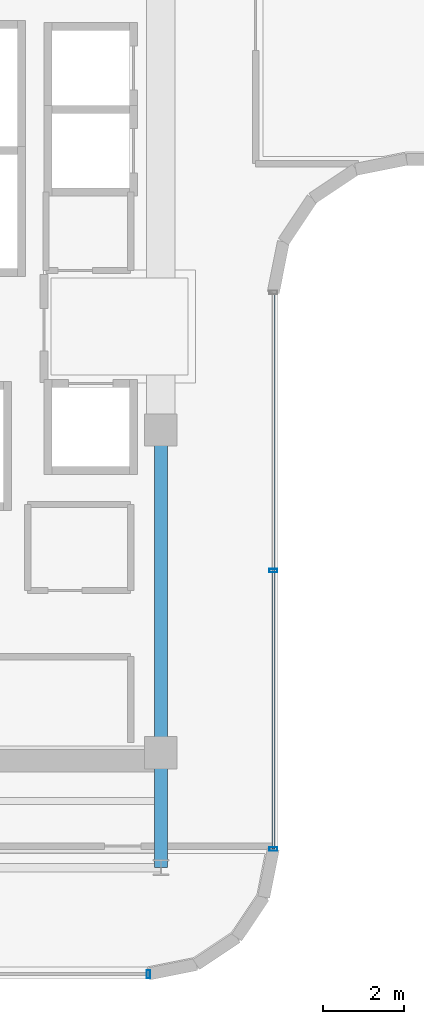
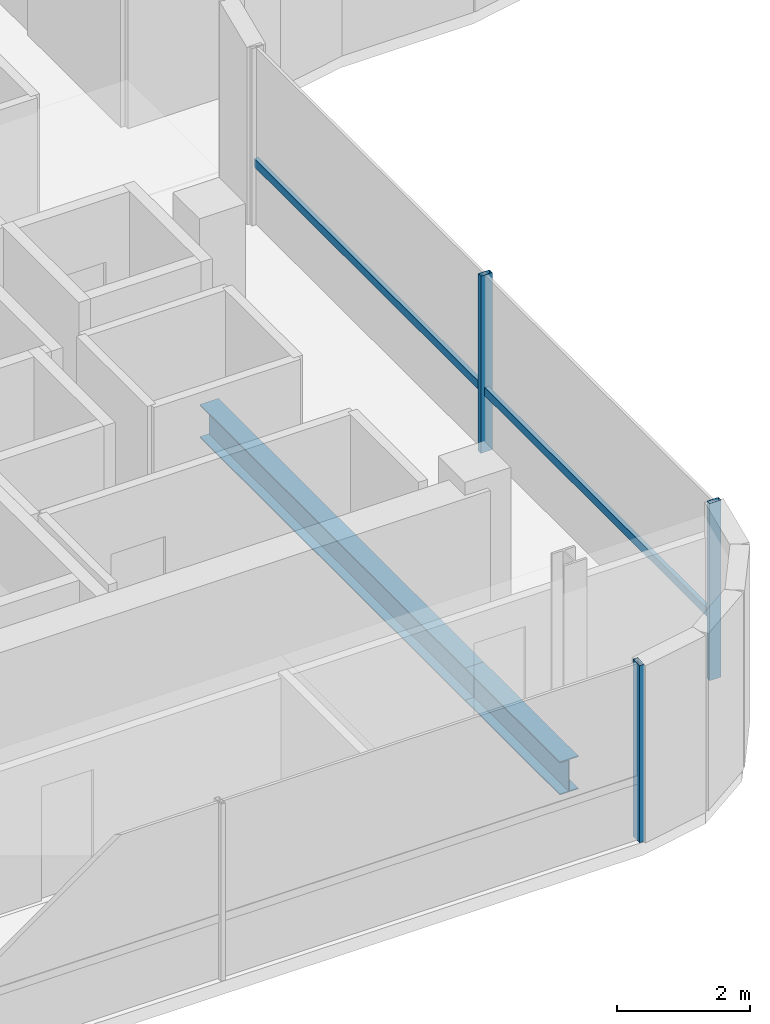
# One storey, part 5 of 18: 4 members, 2 beams, 2 elements without a shape of their own.
"""IFC4 building model written with IfcOpenShell, lengths in metres."""

import ifcopenshell
import ifcopenshell.guid

model = None  # the IFC model being written
_history = None  # IfcOwnerHistory: only IFC2X3 demands one
_inside = {}  # id of a spatial element -> (the spatial element, [elements in it])
_under = {}  # id of a project, library or spatial element -> (it, [spatial elements below it])
_declared = {}  # id of a project -> (the project, [libraries it declares])
_typed = {}  # id of a type object -> (the type object, [elements of that type])
_made_of = {}  # id of a material, layer set ... -> (it, [elements and type objects made of it])


def new_model(schema):
    """Start an empty IFC model of exactly this schema.

    Asked for "IFC4X3", IfcOpenShell would pick the latest addendum, in which some entities
    have other attributes; the version numbers below select the first issue.
    IFC2X3 requires an IfcOwnerHistory on every rooted entity: one is made here for all.
    """
    global model, _history
    if schema == "IFC4X3":
        model = ifcopenshell.file(schema_version=(4, 3, 0, 0))
    else:
        model = ifcopenshell.file(schema=schema)
    _inside.clear()
    _under.clear()
    _declared.clear()
    _typed.clear()
    _made_of.clear()
    _history = None
    if model.schema == "IFC2X3":
        org = make("IfcOrganization", Name="unknown")
        user = make(
            "IfcPersonAndOrganization",
            ThePerson=make("IfcPerson", FamilyName="unknown"),
            TheOrganization=org,
        )
        app = make(
            "IfcApplication",
            ApplicationDeveloper=org,
            Version="unknown",
            ApplicationFullName="unknown",
            ApplicationIdentifier="unknown",
        )
        _history = make(
            "IfcOwnerHistory",
            OwningUser=user,
            OwningApplication=app,
            ChangeAction="ADDED",
            CreationDate=0,
        )
    return model


def make(cls, **values):
    """One entity of the class cls with the attributes given. An attribute that is None is left unset."""
    return model.create_entity(
        cls, **{name: value for name, value in values.items() if value is not None}
    )


def rooted(cls, **values):
    """An entity with a GlobalId (a new one), such as an element, a storey or a relation."""
    return make(cls, GlobalId=ifcopenshell.guid.new(), OwnerHistory=_history, **values)


def si_unit(unit_type, name, prefix=None):
    """IfcSIUnit, for example si_unit("LENGTHUNIT", "METRE", prefix="MILLI")."""
    return make("IfcSIUnit", UnitType=unit_type, Prefix=prefix, Name=name)


def assignment(units):
    """IfcUnitAssignment: the units of a project."""
    return None if units is None else make("IfcUnitAssignment", Units=units)


def point(xyz):
    """IfcCartesianPoint."""
    return None if xyz is None else make("IfcCartesianPoint", Coordinates=xyz)


def direction(xyz):
    """IfcDirection."""
    return None if xyz is None else make("IfcDirection", DirectionRatios=xyz)


def frame(location, z_axis=None, x_axis=None):
    """IfcAxis2Placement3D, a coordinate frame: its origin and axes. An axis left out is left unset."""
    return make(
        "IfcAxis2Placement3D",
        Location=point(location),
        Axis=direction(z_axis),
        RefDirection=direction(x_axis),
    )


def frame_2d(location, x_axis=None):
    """IfcAxis2Placement2D, a coordinate frame in the plane: its origin and x axis."""
    return make(
        "IfcAxis2Placement2D", Location=point(location), RefDirection=direction(x_axis)
    )


def origin():
    """The frame at (0, 0, 0) with its axes left unset."""
    return frame((0.0, 0.0, 0.0))


def origin_2d():
    """The frame at (0, 0) in the plane with its x axis left unset."""
    return frame_2d((0.0, 0.0))


def place(relative_to, where):
    """IfcLocalPlacement: puts the frame where relative to a parent placement (None: the world)."""
    return make(
        "IfcLocalPlacement", PlacementRelTo=relative_to, RelativePlacement=where
    )


def context(
    kind, dimensions, precision=None, world=None, true_north=None, identifier=None
):
    """IfcGeometricRepresentationContext, for example the 3D "Model" context."""
    return make(
        "IfcGeometricRepresentationContext",
        ContextIdentifier=identifier,
        ContextType=kind,
        CoordinateSpaceDimension=dimensions,
        Precision=precision,
        WorldCoordinateSystem=world,
        TrueNorth=true_north,
    )


def subcontext(parent, identifier, kind, view, scale=None):
    """IfcGeometricRepresentationSubContext, for example "Body" below "Model"."""
    return make(
        "IfcGeometricRepresentationSubContext",
        ContextIdentifier=identifier,
        ContextType=kind,
        ParentContext=parent,
        TargetScale=scale,
        TargetView=view,
    )


def project(units=None, contexts=None):
    """IfcProject with its units and contexts."""
    return rooted(
        "IfcProject",
        Name="project",
        RepresentationContexts=contexts,
        UnitsInContext=assignment(units),
    )


def spatial(cls, under=None, at=None, **own):
    """A site, building, storey or space (cls), placed at a placement, below another one or the project."""
    s = rooted(cls, ObjectPlacement=at, **own)
    if under is not None:
        _under.setdefault(under.id(), (under, []))[1].append(s)
    return s


def profile(cls, at=None, kind="AREA", **sizes):
    """A parametric profile (cls). Its sizes go by their IFC names, for example OverallWidth=200.0."""
    return make(cls, ProfileType=kind, Position=at, **sizes)


def hollow_rectangle(**sizes):
    """IfcRectangleHollowProfileDef."""
    return profile("IfcRectangleHollowProfileDef", **sizes)


def i_section(**sizes):
    """IfcIShapeProfileDef."""
    return profile("IfcIShapeProfileDef", **sizes)


def extrude(swept, where, along, depth):
    """IfcExtrudedAreaSolid: the profile swept, set in the frame where, extruded along a direction by depth."""
    return make(
        "IfcExtrudedAreaSolid",
        SweptArea=swept,
        Position=where,
        ExtrudedDirection=direction(along),
        Depth=depth,
    )


def shape(context_of_items, identifier, shape_type, items):
    """IfcShapeRepresentation: the items that make up one representation, for example the "Body"."""
    return make(
        "IfcShapeRepresentation",
        ContextOfItems=context_of_items,
        RepresentationIdentifier=identifier,
        RepresentationType=shape_type,
        Items=items,
    )


def source(mapping_origin, context_of_items, identifier, shape_type, items):
    """IfcRepresentationMap: a shape defined once, which mapped items show again and again."""
    return make(
        "IfcRepresentationMap",
        MappingOrigin=mapping_origin,
        MappedRepresentation=shape(context_of_items, identifier, shape_type, items),
    )


def transform(
    local_origin,
    x_axis=None,
    y_axis=None,
    z_axis=None,
    scale=None,
    scale2=None,
    scale3=None,
    uniform=True,
):
    """IfcCartesianTransformationOperator3D, or its non-uniform kind. x_axis, y_axis, z_axis: its Axis1, 2, 3."""
    if uniform:
        return make(
            "IfcCartesianTransformationOperator3D",
            Axis1=direction(x_axis),
            Axis2=direction(y_axis),
            LocalOrigin=point(local_origin),
            Scale=scale,
            Axis3=direction(z_axis),
        )
    return make(
        "IfcCartesianTransformationOperator3DnonUniform",
        Axis1=direction(x_axis),
        Axis2=direction(y_axis),
        LocalOrigin=point(local_origin),
        Scale=scale,
        Axis3=direction(z_axis),
        Scale2=scale2,
        Scale3=scale3,
    )


def mapped(mapping_source, mapping_target):
    """IfcMappedItem: shows the shape of a source again, moved by a transform."""
    return make(
        "IfcMappedItem", MappingSource=mapping_source, MappingTarget=mapping_target
    )


def material(Name=None, Category=None):
    """IfcMaterial."""
    return make("IfcMaterial", Name=Name, Category=Category)


def material_profile(
    of_material, cross_section, Name=None, Category=None, Priority=None
):
    """IfcMaterialProfile: a cross section and its material."""
    return make(
        "IfcMaterialProfile",
        Name=Name,
        Material=of_material,
        Profile=cross_section,
        Priority=Priority,
        Category=Category,
    )


def profile_set(profiles, Name=None, composite=None):
    """IfcMaterialProfileSet."""
    return make(
        "IfcMaterialProfileSet",
        Name=Name,
        MaterialProfiles=profiles,
        CompositeProfile=composite,
    )


def made_of(thing, what):
    """Note that an element or type object is made of a material, layer set ...; save() writes the relation."""
    if what is not None:
        _made_of.setdefault(what.id(), (what, []))[1].append(thing)
    return thing


def type_object(cls, material=None, **own):
    """A type object (cls), such as IfcWallType, which elements share."""
    return made_of(rooted(cls, **own), material)


def element(
    cls,
    number,
    at=None,
    inside=None,
    cuts=None,
    type_object=None,
    material=None,
    context=None,
    identifier="Body",
    shape_type=None,
    held_by="IfcProductDefinitionShape",
    body=None,
    shapes=None,
    **own,
):
    """One element of the class cls, such as IfcWall. Its Tag is "e" and its number.

    at: its placement. inside: the storey or other place that contains it. cuts: it is an
    opening in that element (IfcRelVoidsElement). A single representation is given by context,
    identifier, shape_type and body (its items); several are given by shapes. held_by: the class
    of the entity that holds the representations. save() writes the other relations.
    """
    e = rooted(cls, Tag="e%d" % number, ObjectPlacement=at, **own)
    if body is not None:
        shapes = [shape(context, identifier, shape_type, body)]
    if shapes is not None:
        e.Representation = make(held_by, Representations=shapes)
    if inside is not None:
        _inside.setdefault(inside.id(), (inside, []))[1].append(e)
    if cuts is not None:
        rooted(
            "IfcRelVoidsElement", RelatingBuildingElement=cuts, RelatedOpeningElement=e
        )
    if type_object is not None:
        _typed.setdefault(type_object.id(), (type_object, []))[1].append(e)
    return made_of(e, material)


def aggregate(whole, parts):
    """IfcRelAggregates: a whole, such as a stair, and the parts it consists of."""
    return rooted("IfcRelAggregates", RelatingObject=whole, RelatedObjects=parts)


def save(model, path):
    """Write the relations noted so far, then the file.

    IfcRelAggregates (storeys below a building ...), IfcRelContainedInSpatialStructure (elements
    in a storey), IfcRelDefinesByType, IfcRelAssociatesMaterial and IfcRelDeclares: one each for
    every whole, place, type object, material and project.
    """
    for whole, parts in _under.values():
        aggregate(whole, parts)
    for where, things in _inside.values():
        rooted(
            "IfcRelContainedInSpatialStructure",
            RelatedElements=things,
            RelatingStructure=where,
        )
    for kind, things in _typed.values():
        rooted("IfcRelDefinesByType", RelatedObjects=things, RelatingType=kind)
    for what, things in _made_of.values():
        rooted("IfcRelAssociatesMaterial", RelatedObjects=things, RelatingMaterial=what)
    for by, libraries in _declared.values():
        rooted("IfcRelDeclares", RelatingContext=by, RelatedDefinitions=libraries)
    model.write(path)


model = new_model("IFC4")

# Units and contexts
model_context = context("Model", 3, precision=1e-05, world=origin(), true_north=direction((0.0, 1.0)))
body_context = subcontext(model_context, "Body", "Model", "MODEL_VIEW")
ifc_project = project(units=[si_unit("LENGTHUNIT", "METRE"), si_unit("AREAUNIT", "SQUARE_METRE"), si_unit("VOLUMEUNIT", "CUBIC_METRE"), si_unit("PLANEANGLEUNIT", "RADIAN"), si_unit("MASSUNIT", "GRAM", prefix="KILO")], contexts=[model_context])

# Site, building, storey
site_placement = place(None, origin())
site = spatial("IfcSite", under=ifc_project, at=site_placement, CompositionType="ELEMENT")
building_placement = place(site_placement, origin())
building = spatial("IfcBuilding", under=site, at=building_placement, Name="Valdorenza Pilgrim Sanctuary Tower", CompositionType="ELEMENT")
storey_placement = place(building_placement, frame((0.0, 0.0, 276.5)))
storey = spatial("IfcBuildingStorey", under=building, at=storey_placement, Name="L72", CompositionType="ELEMENT", Elevation=276.5)

# Beams
ifc_material_1 = material(Name="Steel ASTM A992 Grade 50", Category="steel")
ifc_material_profile_1 = material_profile(ifc_material_1, i_section(OverallWidth=0.323974609375, OverallDepth=0.611083984375, WebThickness=0.0126953125, FlangeThickness=0.01904296875, at=origin_2d()), Name="W24X104")
ifc_profile_set_1 = profile_set([ifc_material_profile_1], Name="Steel ASTM A992 Grade 50")
beam_type = type_object("IfcBeamType", Name="STR-BM-GRD-W24B", PredefinedType="BEAM", material=ifc_profile_set_1)
shared_shape_1 = source(origin(), body_context, "Body", "SweptSolid", [
    extrude(i_section(OverallWidth=0.323974609375, OverallDepth=0.611083984375, WebThickness=0.0126953125, FlangeThickness=0.01904296875, at=origin_2d()), origin(), (0.0, 0.0, 1.0), 8.0),
])
beam_1_placement = place(storey_placement, frame((-12.39990234375, -10.60009765625, -0.54541015625), z_axis=(0.0, 1.0, 0.0), x_axis=(-1.0, 0.0, 0.0)))
element("IfcBeam", 1, at=beam_1_placement, inside=storey, type_object=beam_type, Name="L72 Core Tie Girder CA-E-S1M0", PredefinedType="BEAM", context=body_context, shape_type="MappedRepresentation", body=[
    mapped(shared_shape_1, transform((0.0, 0.0, 0.0), x_axis=(1.0, 0.0, 0.0), y_axis=(0.0, 1.0, 0.0), z_axis=(0.0, 0.0, 1.0), scale=1.0)),
])
shared_shape_2 = source(origin(), body_context, "Body", "SweptSolid", [
    extrude(i_section(OverallWidth=0.323974609375, OverallDepth=0.611083984375, WebThickness=0.0126953125, FlangeThickness=0.01904296875, at=origin_2d()), origin(), (0.0, 0.0, 1.0), 2.849853515625),
])
beam_2_placement = place(storey_placement, frame((-12.39990234375, -13.449951171875, -0.54541015625), z_axis=(0.0, 1.0, 0.0), x_axis=(-1.0, 0.0, 0.0)))
element("IfcBeam", 2, at=beam_2_placement, inside=storey, type_object=beam_type, Name="L72 Floor Girder WA-S-LE", PredefinedType="BEAM", context=body_context, shape_type="MappedRepresentation", body=[
    mapped(shared_shape_2, transform((0.0, 0.0, 0.0), x_axis=(1.0, 0.0, 0.0), y_axis=(0.0, 1.0, 0.0), z_axis=(0.0, 0.0, 1.0), scale=1.0)),
])

# Curtain wall, members
ifc_material_2 = material(Name="Curtain-wall IGU glazing", Category="glass")
curtain_wall_type = type_object("IfcCurtainWallType", Name="CW-SYS-02", PredefinedType="NOTDEFINED", material=ifc_material_2)
curtain_wall_1_placement = place(storey_placement, origin())
curtain_wall_1 = element("IfcCurtainWall", 3, at=curtain_wall_1_placement, inside=storey, type_object=curtain_wall_type, Name="L72 Curtain Wall CW-L72-1-21", PredefinedType="NOTDEFINED")
ifc_material_3 = material(Name="Anodised aluminium AW-6060", Category="aluminium")
ifc_material_profile_2 = material_profile(ifc_material_3, hollow_rectangle(XDim=0.0849609375, YDim=0.199951171875, WallThickness=0.0048828125, at=origin_2d()), Name="ALU-M 200x85x5")
ifc_profile_set_2 = profile_set([ifc_material_profile_2], Name="Anodised aluminium AW-6060")
member_type_1 = type_object("IfcMemberType", Name="CW-MUL-02", PredefinedType="MULLION", material=ifc_profile_set_2)
shared_shape_3 = source(origin(), body_context, "Body", "SweptSolid", [
    extrude(hollow_rectangle(XDim=0.0849609375, YDim=0.199951171875, WallThickness=0.0048828125, at=origin_2d()), origin(), (0.0, 0.0, 1.0), 3.260009765625),
])
member_1_placement = place(storey_placement, frame((-9.610107421875, -6.089111328125, 0.0), z_axis=(0.0, 0.0, 1.0), x_axis=(0.0, -1.0, 0.0)))
member_1 = element("IfcMember", 4, at=member_1_placement, type_object=member_type_1, Name="CW-L72-1-21 Mullion 2", PredefinedType="MULLION", context=body_context, shape_type="MappedRepresentation", body=[
    mapped(shared_shape_3, transform((0.0, 0.0, 0.0), x_axis=(1.0, 0.0, 0.0), y_axis=(0.0, 1.0, 0.0), z_axis=(0.0, 0.0, 1.0), scale=1.0)),
])
member_2_placement = place(storey_placement, frame((-9.610107421875, -12.9892578125, 0.0), z_axis=(0.0, 0.0, 1.0), x_axis=(0.0, -1.0, 0.0)))
member_2 = element("IfcMember", 5, at=member_2_placement, type_object=member_type_1, Name="CW-L72-1-21 Mullion 3", PredefinedType="MULLION", context=body_context, shape_type="MappedRepresentation", body=[
    mapped(shared_shape_3, transform((0.0, 0.0, 0.0), x_axis=(1.0, 0.0, 0.0), y_axis=(0.0, 1.0, 0.0), z_axis=(0.0, 0.0, 1.0), scale=1.0)),
])

# Curtain wall, member
curtain_wall_2_placement = place(storey_placement, origin())
curtain_wall_2 = element("IfcCurtainWall", 6, at=curtain_wall_2_placement, inside=storey, type_object=curtain_wall_type, Name="L72 Curtain Wall CW-L72-1-26", PredefinedType="NOTDEFINED")
member_3_placement = place(storey_placement, frame((-12.710693359375, -16.090087890625, 0.0), z_axis=(0.0, 0.0, 1.0), x_axis=(-1.0, 0.0, 0.0)))
member_3 = element("IfcMember", 7, at=member_3_placement, type_object=member_type_1, Name="CW-L72-1-26 Mullion 1", PredefinedType="MULLION", context=body_context, shape_type="MappedRepresentation", body=[
    mapped(shared_shape_3, transform((0.0, 0.0, 0.0), x_axis=(1.0, 0.0, 0.0), y_axis=(0.0, 1.0, 0.0), z_axis=(0.0, 0.0, 1.0), scale=1.0)),
])
aggregate(curtain_wall_2, [member_3])

# Member
ifc_material_profile_3 = material_profile(ifc_material_3, hollow_rectangle(XDim=0.074951171875, YDim=0.14990234375, WallThickness=0.00390625, at=origin_2d()), Name="ALU-T 150x75x4")
ifc_profile_set_3 = profile_set([ifc_material_profile_3], Name="Anodised aluminium AW-6060")
member_type_2 = type_object("IfcMemberType", Name="CW-TRN-02", PredefinedType="USERDEFINED", material=ifc_profile_set_3)
shared_shape_4 = source(origin(), body_context, "Body", "SweptSolid", [
    extrude(hollow_rectangle(XDim=0.074951171875, YDim=0.14990234375, WallThickness=0.00390625, at=origin_2d()), origin(), (0.0, 0.0, 1.0), 13.800048828125),
])
member_4_placement = place(storey_placement, frame((-9.610107421875, 0.810791015625, 1.1201171875), z_axis=(0.0, -1.0, 0.0), x_axis=(1.0, 0.0, 0.0)))
member_4 = element("IfcMember", 8, at=member_4_placement, type_object=member_type_2, Name="CW-L72-1-21 Transom 1", ObjectType="TRANSOM", PredefinedType="USERDEFINED", context=body_context, shape_type="MappedRepresentation", body=[
    mapped(shared_shape_4, transform((0.0, 0.0, 0.0), x_axis=(1.0, 0.0, 0.0), y_axis=(0.0, 1.0, 0.0), z_axis=(0.0, 0.0, 1.0), scale=1.0)),
])

aggregate(curtain_wall_1, [member_1, member_2, member_4])

save(model, "model.ifc")
